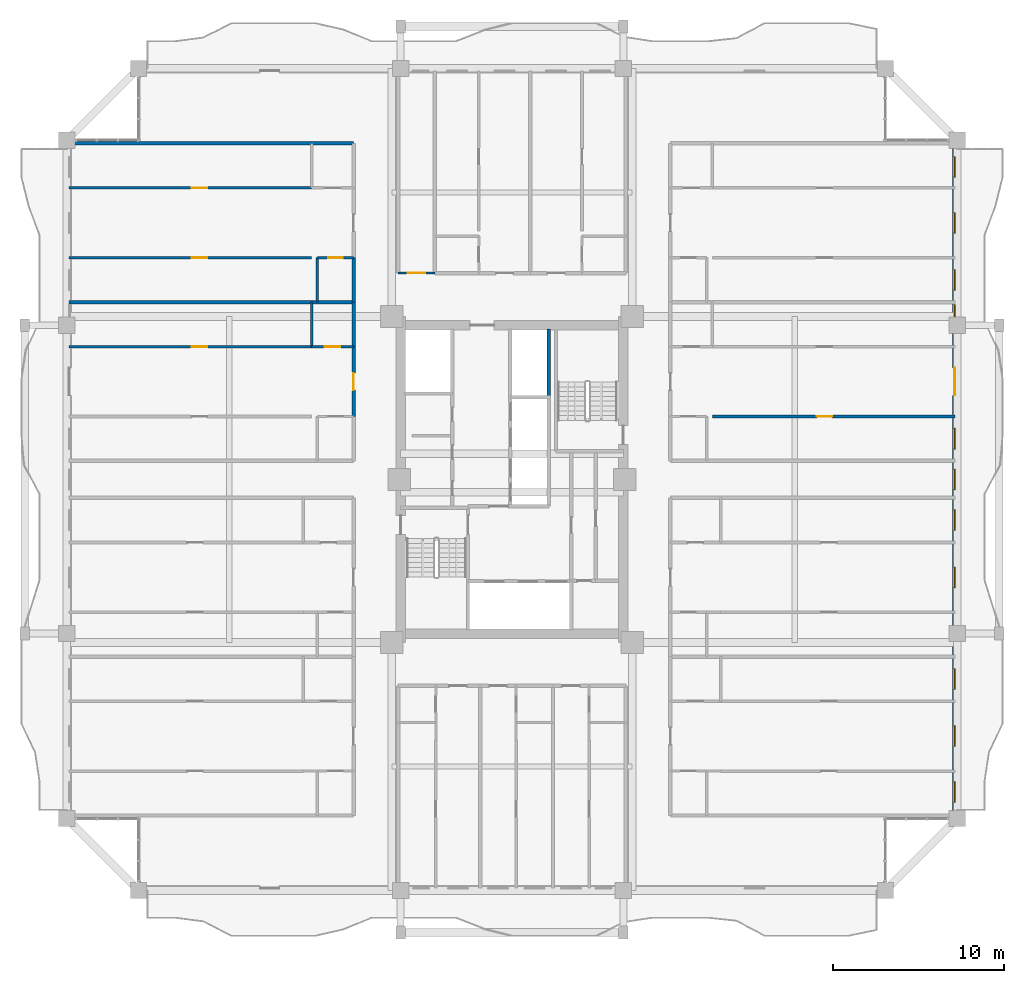
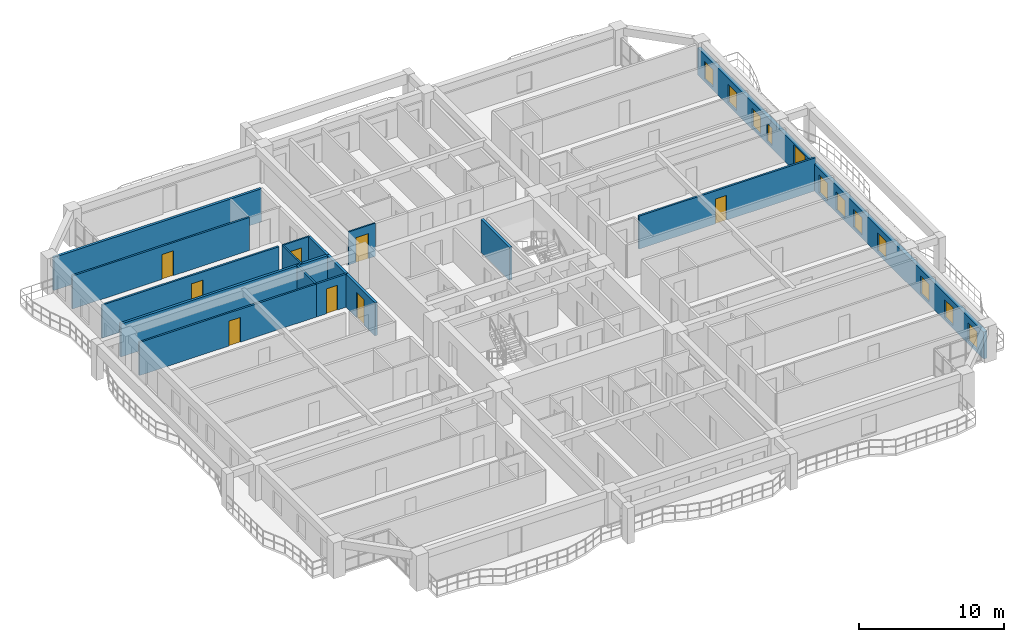
# One storey, part 18 of 25: 16 walls, 11 windows, 9 doors, 20 openings.
"""IFC4 building model written with IfcOpenShell, lengths in metres."""

from ifc_helpers import new_model, si_unit, direction, frame, frame_2d, origin, place, context, subcontext, project, spatial, rectangle, extrude, source, transform, mapped, material, layer, layer_set, type_object, element, fill, save


model = new_model("IFC4")

# Units and contexts
model_context = context("Model", 3, precision=1e-05, world=origin(), true_north=direction((0.0, 1.0)))
body_context = subcontext(model_context, "Body", "Model", "MODEL_VIEW")
ifc_project = project(units=[si_unit("LENGTHUNIT", "METRE"), si_unit("AREAUNIT", "SQUARE_METRE"), si_unit("VOLUMEUNIT", "CUBIC_METRE"), si_unit("PLANEANGLEUNIT", "RADIAN"), si_unit("MASSUNIT", "GRAM", prefix="KILO")], contexts=[model_context])

# Site, building, storey
site_placement = place(None, origin())
site = spatial("IfcSite", under=ifc_project, at=site_placement, CompositionType="ELEMENT")
building_placement = place(site_placement, origin())
building = spatial("IfcBuilding", under=site, at=building_placement, Name="Saelheon Loggia Tower", CompositionType="ELEMENT")
storey_placement = place(building_placement, frame((0.0, 0.0, 107.85009765625)))
storey = spatial("IfcBuildingStorey", under=building, at=storey_placement, Name="L34", CompositionType="ELEMENT", Elevation=107.85009765625)

# Wall, openings, windows, door
ifc_material_1 = material(Name="Architectural Precast Concrete C40/50", Category="concrete")
ifc_layer_1 = layer(ifc_material_1, 0.280029296875)
ifc_layer_set_1 = layer_set([ifc_layer_1], Name="Architectural Precast Concrete C40/50")
wall_type_1 = type_object("IfcWallType", Name="Wall_Ext_Loggia_280", PredefinedType="SOLIDWALL", material=ifc_layer_set_1)
wall_1_placement = place(storey_placement, frame((63.860107421875, 7.199951171875, 0.0), z_axis=(0.0, 0.0, 1.0), x_axis=(0.0, 1.0, 0.0)))
wall_1 = element("IfcWall", 1, at=wall_1_placement, inside=storey, type_object=wall_type_1, Name="L34 East Loggia Inner Wall", PredefinedType="SOLIDWALL", context=body_context, shape_type="SweptSolid", body=[
    extrude(rectangle(XDim=39.60009765625, YDim=0.280029296875, at=frame_2d((19.800048828125, 0.0))), origin(), (0.0, 0.0, 1.0), 2.27978515625),
])
opening_1_placement = place(wall_1_placement, frame((0.9453125, 0.0, 0.25)))
opening_1 = element("IfcOpeningElement", 2, at=opening_1_placement, cuts=wall_1, Name="Opening WN-03", PredefinedType="OPENING", context=body_context, shape_type="SweptSolid", body=[
    extrude(rectangle(XDim=1.199951171875, YDim=1.5, at=frame_2d((0.60009765625, 0.75))), frame((0.0, 0.152099609375, 0.0), z_axis=(0.0, -1.0, 0.0), x_axis=(1.0, 0.0, 0.0)), (0.0, 0.0, 1.0), 0.303955078125),
])
opening_2_placement = place(wall_1_placement, frame((4.212890625, 0.0, 0.25)))
opening_2 = element("IfcOpeningElement", 3, at=opening_2_placement, cuts=wall_1, Name="Opening WN-03", PredefinedType="OPENING", context=body_context, shape_type="SweptSolid", body=[
    extrude(rectangle(XDim=1.199951171875, YDim=1.5, at=frame_2d((0.60009765625, 0.75))), frame((0.0, 0.152099609375, 0.0), z_axis=(0.0, -1.0, 0.0), x_axis=(1.0, 0.0, 0.0)), (0.0, 0.0, 1.0), 0.303955078125),
])
opening_3_placement = place(wall_1_placement, frame((7.550048828125, 0.0, 0.25)))
opening_3 = element("IfcOpeningElement", 4, at=opening_3_placement, cuts=wall_1, Name="Opening WN-03", PredefinedType="OPENING", context=body_context, shape_type="SweptSolid", body=[
    extrude(rectangle(XDim=1.199951171875, YDim=1.5, at=frame_2d((0.60009765625, 0.75))), frame((0.0, 0.152099609375, 0.0), z_axis=(0.0, -1.0, 0.0), x_axis=(1.0, 0.0, 0.0)), (0.0, 0.0, 1.0), 0.303955078125),
])
opening_4_placement = place(wall_1_placement, frame((13.48291015625, 0.0, 0.25)))
opening_4 = element("IfcOpeningElement", 5, at=opening_4_placement, cuts=wall_1, Name="Opening WN-03", PredefinedType="OPENING", context=body_context, shape_type="SweptSolid", body=[
    extrude(rectangle(XDim=1.199951171875, YDim=1.5, at=frame_2d((0.60009765625, 0.75))), frame((0.0, 0.152099609375, 0.0), z_axis=(0.0, -1.0, 0.0), x_axis=(1.0, 0.0, 0.0)), (0.0, 0.0, 1.0), 0.303955078125),
])
opening_5_placement = place(wall_1_placement, frame((16.820068359375, 0.0, 0.25)))
opening_5 = element("IfcOpeningElement", 6, at=opening_5_placement, cuts=wall_1, Name="Opening WN-03", PredefinedType="OPENING", context=body_context, shape_type="SweptSolid", body=[
    extrude(rectangle(XDim=1.199951171875, YDim=1.5, at=frame_2d((0.60009765625, 0.75))), frame((0.0, 0.152099609375, 0.0), z_axis=(0.0, -1.0, 0.0), x_axis=(1.0, 0.0, 0.0)), (0.0, 0.0, 1.0), 0.303955078125),
])
opening_6_placement = place(wall_1_placement, frame((19.199951171875, 0.0, 0.25)))
opening_6 = element("IfcOpeningElement", 7, at=opening_6_placement, cuts=wall_1, Name="Opening WN-03", PredefinedType="OPENING", context=body_context, shape_type="SweptSolid", body=[
    extrude(rectangle(XDim=1.199951171875, YDim=1.5, at=frame_2d((0.60009765625, 0.75))), frame((0.0, 0.152099609375, 0.0), z_axis=(0.0, -1.0, 0.0), x_axis=(1.0, 0.0, 0.0)), (0.0, 0.0, 1.0), 0.303955078125),
])
opening_7_placement = place(wall_1_placement, frame((21.577880859375, 0.0, 0.25)))
opening_7 = element("IfcOpeningElement", 8, at=opening_7_placement, cuts=wall_1, Name="Opening WN-03", PredefinedType="OPENING", context=body_context, shape_type="SweptSolid", body=[
    extrude(rectangle(XDim=1.199951171875, YDim=1.5, at=frame_2d((0.60009765625, 0.75))), frame((0.0, 0.152099609375, 0.0), z_axis=(0.0, -1.0, 0.0), x_axis=(1.0, 0.0, 0.0)), (0.0, 0.0, 1.0), 0.303955078125),
])
opening_8_placement = place(wall_1_placement, frame((26.31298828125, 0.0, 0.0), z_axis=(0.0, 0.0, 1.0), x_axis=(-1.0, 0.0, 0.0)))
opening_8 = element("IfcOpeningElement", 9, at=opening_8_placement, cuts=wall_1, Name="Opening DLG-1", PredefinedType="OPENING", context=body_context, shape_type="SweptSolid", body=[
    extrude(rectangle(XDim=1.60009765625, YDim=2.14990234375, at=frame_2d((0.800048828125, 1.074951171875))), frame((0.0, 0.152099609375, 0.0), z_axis=(0.0, -1.0, 0.0), x_axis=(1.0, 0.0, 0.0)), (0.0, 0.0, 1.0), 0.303955078125),
])
opening_9_placement = place(wall_1_placement, frame((29.304931640625, 0.0, 0.25)))
opening_9 = element("IfcOpeningElement", 10, at=opening_9_placement, cuts=wall_1, Name="Opening WN-06", PredefinedType="OPENING", context=body_context, shape_type="SweptSolid", body=[
    extrude(rectangle(XDim=0.699951171875, YDim=1.5, at=frame_2d((0.35009765625, 0.75))), frame((0.0, 0.152099609375, 0.0), z_axis=(0.0, -1.0, 0.0), x_axis=(1.0, 0.0, 0.0)), (0.0, 0.0, 1.0), 0.303955078125),
])
opening_10_placement = place(wall_1_placement, frame((30.847900390625, 0.0, 0.25)))
opening_10 = element("IfcOpeningElement", 11, at=opening_10_placement, cuts=wall_1, Name="Opening WN-03", PredefinedType="OPENING", context=body_context, shape_type="SweptSolid", body=[
    extrude(rectangle(XDim=1.199951171875, YDim=1.5, at=frame_2d((0.60009765625, 0.75))), frame((0.0, 0.152099609375, 0.0), z_axis=(0.0, -1.0, 0.0), x_axis=(1.0, 0.0, 0.0)), (0.0, 0.0, 1.0), 0.303955078125),
])
opening_11_placement = place(wall_1_placement, frame((34.182861328125, 0.0, 0.25)))
opening_11 = element("IfcOpeningElement", 12, at=opening_11_placement, cuts=wall_1, Name="Opening WN-03", PredefinedType="OPENING", context=body_context, shape_type="SweptSolid", body=[
    extrude(rectangle(XDim=1.199951171875, YDim=1.5, at=frame_2d((0.60009765625, 0.75))), frame((0.0, 0.152099609375, 0.0), z_axis=(0.0, -1.0, 0.0), x_axis=(1.0, 0.0, 0.0)), (0.0, 0.0, 1.0), 0.303955078125),
])
opening_12_placement = place(wall_1_placement, frame((37.452392578125, 0.0, 0.25)))
opening_12 = element("IfcOpeningElement", 13, at=opening_12_placement, cuts=wall_1, Name="Opening WN-03", PredefinedType="OPENING", context=body_context, shape_type="SweptSolid", body=[
    extrude(rectangle(XDim=1.199951171875, YDim=1.5, at=frame_2d((0.60009765625, 0.75))), frame((0.0, 0.152099609375, 0.0), z_axis=(0.0, -1.0, 0.0), x_axis=(1.0, 0.0, 0.0)), (0.0, 0.0, 1.0), 0.303955078125),
])
ifc_material_2 = material(Name="Thermal-Break Aluminium and Triple Low-E Glass", Category="aluminium")
window_type_1 = type_object("IfcWindowType", Name="Win_Slot_700x1500", PartitioningType="SINGLE_PANEL", PredefinedType="WINDOW", material=ifc_material_2)
shared_shape_1 = source(origin(), body_context, "Body", "SweptSolid", [
    extrude(rectangle(XDim=0.699951171875, YDim=1.5, at=frame_2d((0.35009765625, 0.75))), frame((0.0, 0.030029296875, 0.0), z_axis=(0.0, -1.0, 0.0), x_axis=(1.0, 0.0, 0.0)), (0.0, 0.0, 1.0), 0.06005859375),
])
window_1_placement = place(opening_9_placement, origin())
window_1 = element("IfcWindow", 14, at=window_1_placement, inside=storey, type_object=window_type_1, Name="L34 E Dwelling Window 9", OverallHeight=1.5, OverallWidth=0.699951171875, PartitioningType="SINGLE_PANEL", PredefinedType="WINDOW", context=body_context, shape_type="MappedRepresentation", body=[
    mapped(shared_shape_1, transform((0.0, 0.0, 0.0), scale=1.0)),
])
fill(opening_9, window_1)
window_type_2 = type_object("IfcWindowType", Name="Win_Bedroom_1200x1500", PartitioningType="SINGLE_PANEL", PredefinedType="WINDOW", material=ifc_material_2)
shared_shape_2 = source(origin(), body_context, "Body", "SweptSolid", [
    extrude(rectangle(XDim=1.199951171875, YDim=1.5, at=frame_2d((0.60009765625, 0.75))), frame((0.0, 0.030029296875, 0.0), z_axis=(0.0, -1.0, 0.0), x_axis=(1.0, 0.0, 0.0)), (0.0, 0.0, 1.0), 0.06005859375),
])
window_2_placement = place(opening_1_placement, origin())
window_2 = element("IfcWindow", 15, at=window_2_placement, inside=storey, type_object=window_type_2, Name="L34 E Dwelling Window 1", OverallHeight=1.5, OverallWidth=1.199951171875, PartitioningType="SINGLE_PANEL", PredefinedType="WINDOW", context=body_context, shape_type="MappedRepresentation", body=[
    mapped(shared_shape_2, transform((0.0, 0.0, 0.0), scale=1.0)),
])
fill(opening_1, window_2)
window_3_placement = place(opening_2_placement, origin())
window_3 = element("IfcWindow", 16, at=window_3_placement, inside=storey, type_object=window_type_2, Name="L34 E Dwelling Window 2", OverallHeight=1.5, OverallWidth=1.199951171875, PartitioningType="SINGLE_PANEL", PredefinedType="WINDOW", context=body_context, shape_type="MappedRepresentation", body=[
    mapped(shared_shape_2, transform((0.0, 0.0, 0.0), scale=1.0)),
])
fill(opening_2, window_3)
window_4_placement = place(opening_3_placement, origin())
window_4 = element("IfcWindow", 17, at=window_4_placement, inside=storey, type_object=window_type_2, Name="L34 E Dwelling Window 3", OverallHeight=1.5, OverallWidth=1.199951171875, PartitioningType="SINGLE_PANEL", PredefinedType="WINDOW", context=body_context, shape_type="MappedRepresentation", body=[
    mapped(shared_shape_2, transform((0.0, 0.0, 0.0), scale=1.0)),
])
fill(opening_3, window_4)
window_5_placement = place(opening_4_placement, origin())
window_5 = element("IfcWindow", 18, at=window_5_placement, inside=storey, type_object=window_type_2, Name="L34 E Dwelling Window 4", OverallHeight=1.5, OverallWidth=1.199951171875, PartitioningType="SINGLE_PANEL", PredefinedType="WINDOW", context=body_context, shape_type="MappedRepresentation", body=[
    mapped(shared_shape_2, transform((0.0, 0.0, 0.0), scale=1.0)),
])
fill(opening_4, window_5)
window_6_placement = place(opening_5_placement, origin())
window_6 = element("IfcWindow", 19, at=window_6_placement, inside=storey, type_object=window_type_2, Name="L34 E Dwelling Window 5", OverallHeight=1.5, OverallWidth=1.199951171875, PartitioningType="SINGLE_PANEL", PredefinedType="WINDOW", context=body_context, shape_type="MappedRepresentation", body=[
    mapped(shared_shape_2, transform((0.0, 0.0, 0.0), scale=1.0)),
])
fill(opening_5, window_6)
window_7_placement = place(opening_6_placement, origin())
window_7 = element("IfcWindow", 20, at=window_7_placement, inside=storey, type_object=window_type_2, Name="L34 E Dwelling Window 6", OverallHeight=1.5, OverallWidth=1.199951171875, PartitioningType="SINGLE_PANEL", PredefinedType="WINDOW", context=body_context, shape_type="MappedRepresentation", body=[
    mapped(shared_shape_2, transform((0.0, 0.0, 0.0), scale=1.0)),
])
fill(opening_6, window_7)
window_8_placement = place(opening_7_placement, origin())
window_8 = element("IfcWindow", 21, at=window_8_placement, inside=storey, type_object=window_type_2, Name="L34 E Dwelling Window 7", OverallHeight=1.5, OverallWidth=1.199951171875, PartitioningType="SINGLE_PANEL", PredefinedType="WINDOW", context=body_context, shape_type="MappedRepresentation", body=[
    mapped(shared_shape_2, transform((0.0, 0.0, 0.0), scale=1.0)),
])
fill(opening_7, window_8)
window_9_placement = place(opening_10_placement, origin())
window_9 = element("IfcWindow", 22, at=window_9_placement, inside=storey, type_object=window_type_2, Name="L34 E Dwelling Window 10", OverallHeight=1.5, OverallWidth=1.199951171875, PartitioningType="SINGLE_PANEL", PredefinedType="WINDOW", context=body_context, shape_type="MappedRepresentation", body=[
    mapped(shared_shape_2, transform((0.0, 0.0, 0.0), scale=1.0)),
])
fill(opening_10, window_9)
window_10_placement = place(opening_11_placement, origin())
window_10 = element("IfcWindow", 23, at=window_10_placement, inside=storey, type_object=window_type_2, Name="L34 E Dwelling Window 11", OverallHeight=1.5, OverallWidth=1.199951171875, PartitioningType="SINGLE_PANEL", PredefinedType="WINDOW", context=body_context, shape_type="MappedRepresentation", body=[
    mapped(shared_shape_2, transform((0.0, 0.0, 0.0), scale=1.0)),
])
fill(opening_11, window_10)
window_11_placement = place(opening_12_placement, origin())
window_11 = element("IfcWindow", 24, at=window_11_placement, inside=storey, type_object=window_type_2, Name="L34 E Dwelling Window 12", OverallHeight=1.5, OverallWidth=1.199951171875, PartitioningType="SINGLE_PANEL", PredefinedType="WINDOW", context=body_context, shape_type="MappedRepresentation", body=[
    mapped(shared_shape_2, transform((0.0, 0.0, 0.0), scale=1.0)),
])
fill(opening_12, window_11)
ifc_material_3 = material(Name="Thermal-Break Aluminium Sliding Glazed Door", Category="aluminium")
door_type_1 = type_object("IfcDoorType", Name="Door_LoggiaSlide_1600", OperationType="SLIDING_TO_LEFT", PredefinedType="DOOR", material=ifc_material_3)
shared_shape_3 = source(origin(), body_context, "Body", "SweptSolid", [
    extrude(rectangle(XDim=1.60009765625, YDim=2.14990234375, at=frame_2d((0.800048828125, 1.074951171875))), frame((0.0, 0.02490234375, 0.0), z_axis=(0.0, -1.0, 0.0), x_axis=(1.0, 0.0, 0.0)), (0.0, 0.0, 1.0), 0.050048828125),
])
door_1_placement = place(opening_8_placement, origin())
door_1 = element("IfcDoor", 25, at=door_1_placement, inside=storey, type_object=door_type_1, Name="L34 E Loggia Access Door", OperationType="SLIDING_TO_LEFT", OverallHeight=2.14990234375, OverallWidth=1.60009765625, PredefinedType="DOOR", context=body_context, shape_type="MappedRepresentation", body=[
    mapped(shared_shape_3, transform((0.0, 0.0, 0.0), scale=1.0)),
])
fill(opening_8, door_1)

# Wall
ifc_material_4 = material(Name="Lightweight Autoclaved Aerated Concrete Block and Acoustic Gypsum", Category="concrete")
ifc_layer_2 = layer(ifc_material_4, 0.14990234375)
ifc_layer_set_2 = layer_set([ifc_layer_2], Name="Lightweight Autoclaved Aerated Concrete Block and Acoustic Gypsum")
wall_type_2 = type_object("IfcWallType", Name="Wall_Part_150", PredefinedType="PARTITIONING", material=ifc_layer_set_2)
wall_2_placement = place(storey_placement, frame((26.300048828125, 34.75, 0.0), z_axis=(0.0, 0.0, 1.0), x_axis=(0.0, 1.0, 0.0)))
element("IfcWall", 26, at=wall_2_placement, inside=storey, type_object=wall_type_2, Name="L34 WN Partition V07", PredefinedType="PARTITIONING", context=body_context, shape_type="SweptSolid", body=[
    extrude(rectangle(XDim=2.60009765625, YDim=0.14990234375, at=frame_2d((1.300048828125, 0.0))), origin(), (0.0, 0.0, 1.0), 2.789794921875),
])

# Wall, opening, door
wall_3_placement = place(storey_placement, frame((28.75, 34.75, 0.0), z_axis=(0.0, 0.0, 1.0), x_axis=(-1.0, 0.0, 0.0)))
wall_3 = element("IfcWall", 27, at=wall_3_placement, inside=storey, type_object=wall_type_2, Name="L34 WN Partition U10", PredefinedType="PARTITIONING", context=body_context, shape_type="SweptSolid", body=[
    extrude(rectangle(XDim=2.449951171875, YDim=0.14990234375, at=frame_2d((1.22509765625, 0.0))), origin(), (0.0, 0.0, 1.0), 2.789794921875),
])
opening_13_placement = place(wall_3_placement, frame((0.77490234375, 0.0, 0.0)))
opening_13 = element("IfcOpeningElement", 28, at=opening_13_placement, cuts=wall_3, Name="Opening D-IN2", PredefinedType="OPENING", context=body_context, shape_type="SweptSolid", body=[
    extrude(rectangle(XDim=0.89990234375, YDim=2.10009765625, at=frame_2d((0.449951171875, 1.050048828125))), frame((0.0, 0.0869140625, 0.0), z_axis=(0.0, -1.0, 0.0), x_axis=(1.0, 0.0, 0.0)), (0.0, 0.0, 1.0), 0.173828125),
])
ifc_material_5 = material(Name="Engineered Oak Flush Door", Category="timber")
door_type_2 = type_object("IfcDoorType", Name="Door_Int_900", OperationType="NOTDEFINED", PredefinedType="DOOR", material=ifc_material_5)
shared_shape_4 = source(origin(), body_context, "Body", "SweptSolid", [
    extrude(rectangle(XDim=0.89990234375, YDim=2.10009765625, at=frame_2d((0.449951171875, 1.050048828125))), frame((0.0, 0.02490234375, 0.0), z_axis=(0.0, -1.0, 0.0), x_axis=(1.0, 0.0, 0.0)), (0.0, 0.0, 1.0), 0.050048828125),
])
door_2_placement = place(opening_13_placement, origin())
door_2 = element("IfcDoor", 29, at=door_2_placement, inside=storey, type_object=door_type_2, Name="Unit U08 Dressing Closet Door", OperationType="SINGLE_SWING_LEFT", OverallHeight=2.10009765625, OverallWidth=0.89990234375, PredefinedType="DOOR", context=body_context, shape_type="MappedRepresentation", body=[
    mapped(shared_shape_4, transform((0.0, 0.0, 0.0), scale=1.0)),
])
fill(opening_13, door_2)

wall_4_placement = place(storey_placement, frame((26.300048828125, 34.75, 0.0), z_axis=(0.0, 0.0, 1.0), x_axis=(-1.0, 0.0, 0.0)))
wall_4 = element("IfcWall", 30, at=wall_4_placement, inside=storey, type_object=wall_type_2, Name="L34 WN Partition U11", PredefinedType="PARTITIONING", context=body_context, shape_type="SweptSolid", body=[
    extrude(rectangle(XDim=14.150146484375, YDim=0.14990234375, at=frame_2d((7.0751953125, 0.0))), origin(), (0.0, 0.0, 1.0), 2.789794921875),
])
opening_14_placement = place(wall_4_placement, frame((6.093017578125, 0.0, 0.0)))
opening_14 = element("IfcOpeningElement", 31, at=opening_14_placement, cuts=wall_4, Name="Opening D-IN2", PredefinedType="OPENING", context=body_context, shape_type="SweptSolid", body=[
    extrude(rectangle(XDim=0.89990234375, YDim=2.10009765625, at=frame_2d((0.449951171875, 1.050048828125))), frame((0.0, 0.0869140625, 0.0), z_axis=(0.0, -1.0, 0.0), x_axis=(1.0, 0.0, 0.0)), (0.0, 0.0, 1.0), 0.173828125),
])
door_3_placement = place(opening_14_placement, origin())
door_3 = element("IfcDoor", 32, at=door_3_placement, inside=storey, type_object=door_type_2, Name="Unit U08 Bedroom 1 Door", OperationType="SINGLE_SWING_RIGHT", OverallHeight=2.10009765625, OverallWidth=0.89990234375, PredefinedType="DOOR", context=body_context, shape_type="MappedRepresentation", body=[
    mapped(shared_shape_4, transform((0.0, 0.0, 0.0), scale=1.0)),
])
fill(opening_14, door_3)

wall_5_placement = place(storey_placement, frame((26.300048828125, 39.945556640625, 0.0), z_axis=(0.0, 0.0, 1.0), x_axis=(-1.0, 0.0, 0.0)))
wall_5 = element("IfcWall", 33, at=wall_5_placement, inside=storey, type_object=wall_type_2, Name="L34 WN Partition U19", PredefinedType="PARTITIONING", context=body_context, shape_type="SweptSolid", body=[
    extrude(rectangle(XDim=14.150146484375, YDim=0.14990234375, at=frame_2d((7.0751953125, 0.0))), origin(), (0.0, 0.0, 1.0), 2.789794921875),
])
opening_15_placement = place(wall_5_placement, frame((6.093017578125, 0.0, 0.0)))
opening_15 = element("IfcOpeningElement", 34, at=opening_15_placement, cuts=wall_5, Name="Opening D-IN2", PredefinedType="OPENING", context=body_context, shape_type="SweptSolid", body=[
    extrude(rectangle(XDim=0.89990234375, YDim=2.10009765625, at=frame_2d((0.449951171875, 1.050048828125))), frame((0.0, 0.0869140625, 0.0), z_axis=(0.0, -1.0, 0.0), x_axis=(1.0, 0.0, 0.0)), (0.0, 0.0, 1.0), 0.173828125),
])
door_4_placement = place(opening_15_placement, origin())
door_4 = element("IfcDoor", 35, at=door_4_placement, inside=storey, type_object=door_type_2, Name="Unit U09 Kitchen Door", OperationType="SINGLE_SWING_LEFT", OverallHeight=2.10009765625, OverallWidth=0.89990234375, PredefinedType="DOOR", context=body_context, shape_type="MappedRepresentation", body=[
    mapped(shared_shape_4, transform((0.0, 0.0, 0.0), scale=1.0)),
])
fill(opening_15, door_4)

wall_6_placement = place(storey_placement, frame((26.300048828125, 44.02001953125, 0.0), z_axis=(0.0, 0.0, 1.0), x_axis=(-1.0, 0.0, 0.0)))
wall_6 = element("IfcWall", 36, at=wall_6_placement, inside=storey, type_object=wall_type_2, Name="L34 WN Partition U21", PredefinedType="PARTITIONING", context=body_context, shape_type="SweptSolid", body=[
    extrude(rectangle(XDim=14.150146484375, YDim=0.14990234375, at=frame_2d((7.0751953125, 0.0))), origin(), (0.0, 0.0, 1.0), 2.789794921875),
])
opening_16_placement = place(wall_6_placement, frame((6.093017578125, 0.0, 0.0)))
opening_16 = element("IfcOpeningElement", 37, at=opening_16_placement, cuts=wall_6, Name="Opening D-IN2", PredefinedType="OPENING", context=body_context, shape_type="SweptSolid", body=[
    extrude(rectangle(XDim=0.89990234375, YDim=2.10009765625, at=frame_2d((0.449951171875, 1.050048828125))), frame((0.0, 0.0869140625, 0.0), z_axis=(0.0, -1.0, 0.0), x_axis=(1.0, 0.0, 0.0)), (0.0, 0.0, 1.0), 0.173828125),
])
door_5_placement = place(opening_16_placement, origin())
door_5 = element("IfcDoor", 38, at=door_5_placement, inside=storey, type_object=door_type_2, Name="Unit U09 Bedroom 1 Door", OperationType="SINGLE_SWING_LEFT", OverallHeight=2.10009765625, OverallWidth=0.89990234375, PredefinedType="DOOR", context=body_context, shape_type="MappedRepresentation", body=[
    mapped(shared_shape_4, transform((0.0, 0.0, 0.0), scale=1.0)),
])
fill(opening_16, door_5)

wall_7_placement = place(storey_placement, frame((49.699951171875, 30.675537109375, 0.0), z_axis=(0.0, 0.0, 1.0), x_axis=(1.0, 0.0, 0.0)))
wall_7 = element("IfcWall", 39, at=wall_7_placement, inside=storey, type_object=wall_type_2, Name="L34 EN Partition U09", PredefinedType="PARTITIONING", context=body_context, shape_type="SweptSolid", body=[
    extrude(rectangle(XDim=14.150146484375, YDim=0.14990234375, at=frame_2d((7.0751953125, 0.0))), origin(), (0.0, 0.0, 1.0), 2.789794921875),
])
opening_17_placement = place(wall_7_placement, frame((6.093017578125, 0.0, 0.0)))
opening_17 = element("IfcOpeningElement", 40, at=opening_17_placement, cuts=wall_7, Name="Opening D-IN2", PredefinedType="OPENING", context=body_context, shape_type="SweptSolid", body=[
    extrude(rectangle(XDim=0.89990234375, YDim=2.10009765625, at=frame_2d((0.449951171875, 1.050048828125))), frame((0.0, 0.0869140625, 0.0), z_axis=(0.0, -1.0, 0.0), x_axis=(1.0, 0.0, 0.0)), (0.0, 0.0, 1.0), 0.173828125),
])
door_6_placement = place(opening_17_placement, origin())
door_6 = element("IfcDoor", 41, at=door_6_placement, inside=storey, type_object=door_type_2, Name="Unit U12 Kitchen Door", OperationType="SINGLE_SWING_RIGHT", OverallHeight=2.10009765625, OverallWidth=0.89990234375, PredefinedType="DOOR", context=body_context, shape_type="MappedRepresentation", body=[
    mapped(shared_shape_4, transform((0.0, 0.0, 0.0), scale=1.0)),
])
fill(opening_17, door_6)

# Wall
ifc_material_6 = material(Name="Double Acoustic Stud and Fireboard Partition", Category="gypsum")
ifc_layer_3 = layer(ifc_material_6, 0.199951171875)
ifc_layer_set_3 = layer_set([ifc_layer_3], Name="Double Acoustic Stud and Fireboard Partition")
wall_type_3 = type_object("IfcWallType", Name="Wall_Party_200", PredefinedType="PARTITIONING", material=ifc_layer_set_3)
wall_8_placement = place(storey_placement, frame((28.75, 46.6201171875, 0.0), z_axis=(0.0, 0.0, 1.0), x_axis=(-1.0, 0.0, 0.0)))
element("IfcWall", 42, at=wall_8_placement, inside=storey, type_object=wall_type_3, Name="L34 WN Partition U02", PredefinedType="PARTITIONING", context=body_context, shape_type="SweptSolid", body=[
    extrude(rectangle(XDim=16.60009765625, YDim=0.199951171875, at=frame_2d((8.300048828125, 0.0))), origin(), (0.0, 0.0, 1.0), 2.789794921875),
])

# Wall, opening, door
wall_9_placement = place(storey_placement, frame((28.75, 30.675537109375, 0.0), z_axis=(0.0, 0.0, 1.0), x_axis=(0.0, 1.0, 0.0)))
wall_9 = element("IfcWall", 43, at=wall_9_placement, inside=storey, type_object=wall_type_3, Name="L34 WN Partition V04", PredefinedType="PARTITIONING", context=body_context, shape_type="SweptSolid", body=[
    extrude(rectangle(XDim=4.074462890625, YDim=0.199951171875, at=frame_2d((2.037109375, 0.0))), origin(), (0.0, 0.0, 1.0), 2.789794921875),
])
opening_18_placement = place(wall_9_placement, frame((1.537109375, 0.0, 0.0)))
opening_18 = element("IfcOpeningElement", 44, at=opening_18_placement, cuts=wall_9, Name="Opening D-FD1", PredefinedType="OPENING", context=body_context, shape_type="SweptSolid", body=[
    extrude(rectangle(XDim=1.0, YDim=2.14990234375, at=frame_2d((0.5, 1.074951171875))), frame((0.0, 0.112060546875, 0.0), z_axis=(0.0, -1.0, 0.0), x_axis=(1.0, 0.0, 0.0)), (0.0, 0.0, 1.0), 0.223876953125),
])
ifc_material_7 = material(Name="Fire-Rated Engineered Timber Entrance Door", Category="wood")
door_type_3 = type_object("IfcDoorType", Name="Door_Flat_FD30S", OperationType="NOTDEFINED", PredefinedType="DOOR", material=ifc_material_7)
shared_shape_5 = source(origin(), body_context, "Body", "SweptSolid", [
    extrude(rectangle(XDim=1.0, YDim=2.14990234375, at=frame_2d((0.5, 1.074951171875))), frame((0.0, 0.02490234375, 0.0), z_axis=(0.0, -1.0, 0.0), x_axis=(1.0, 0.0, 0.0)), (0.0, 0.0, 1.0), 0.050048828125),
])
door_7_placement = place(opening_18_placement, origin())
door_7 = element("IfcDoor", 45, at=door_7_placement, inside=storey, type_object=door_type_3, Name="Unit U08 Entrance Door", OperationType="SINGLE_SWING_RIGHT", OverallHeight=2.14990234375, OverallWidth=1.0, PredefinedType="DOOR", context=body_context, shape_type="MappedRepresentation", body=[
    mapped(shared_shape_5, transform((0.0, 0.0, 0.0), scale=1.0)),
])
fill(opening_18, door_7)

# Walls
wall_10_placement = place(storey_placement, frame((28.75, 34.75, 0.0), z_axis=(0.0, 0.0, 1.0), x_axis=(0.0, 1.0, 0.0)))
element("IfcWall", 46, at=wall_10_placement, inside=storey, type_object=wall_type_3, Name="L34 WN Partition V05", PredefinedType="PARTITIONING", context=body_context, shape_type="SweptSolid", body=[
    extrude(rectangle(XDim=2.60009765625, YDim=0.199951171875, at=frame_2d((1.300048828125, 0.0))), origin(), (0.0, 0.0, 1.0), 2.789794921875),
])
wall_11_placement = place(storey_placement, frame((28.75, 37.35009765625, 0.0), z_axis=(0.0, 0.0, 1.0), x_axis=(-1.0, 0.0, 0.0)))
element("IfcWall", 47, at=wall_11_placement, inside=storey, type_object=wall_type_3, Name="L34 WN Partition U12", PredefinedType="PARTITIONING", context=body_context, shape_type="SweptSolid", body=[
    extrude(rectangle(XDim=16.60009765625, YDim=0.199951171875, at=frame_2d((8.300048828125, 0.0))), origin(), (0.0, 0.0, 1.0), 2.789794921875),
])
wall_12_placement = place(storey_placement, frame((28.75, 37.35009765625, 0.0), z_axis=(0.0, 0.0, 1.0), x_axis=(0.0, 1.0, 0.0)))
element("IfcWall", 48, at=wall_12_placement, inside=storey, type_object=wall_type_3, Name="L34 WN Partition V13", PredefinedType="PARTITIONING", context=body_context, shape_type="SweptSolid", body=[
    extrude(rectangle(XDim=2.595458984375, YDim=0.199951171875, at=frame_2d((1.2978515625, 0.0))), origin(), (0.0, 0.0, 1.0), 2.789794921875),
])
ifc_material_8 = material(Name="Concrete C40/50", Category="concrete")
ifc_layer_4 = layer(ifc_material_8, 0.199951171875)
ifc_layer_set_4 = layer_set([ifc_layer_4], Name="Concrete C40/50")
wall_type_4 = type_object("IfcWallType", Name="Wall_Shaft_200", PredefinedType="PARTITIONING", material=ifc_layer_set_4)
wall_13_placement = place(storey_placement, frame((40.14990234375, 31.800048828125, 0.0), z_axis=(0.0, 0.0, 1.0), x_axis=(0.0, 1.0, 0.0)))
element("IfcWall", 49, at=wall_13_placement, inside=storey, type_object=wall_type_4, Name="L34 East High-Rise Hoistway East Wall", PredefinedType="PARTITIONING", context=body_context, shape_type="SweptSolid", body=[
    extrude(rectangle(XDim=3.97998046875, YDim=0.199951171875, at=frame_2d((1.989990234375, 0.0))), origin(), (0.0, 0.0, 1.0), 2.789794921875),
])

# Wall, opening, door
ifc_material_9 = material(Name="Moisture-Resistant Cement Board Partition", Category="gypsum")
ifc_layer_5 = layer(ifc_material_9, 0.1201171875)
ifc_layer_set_5 = layer_set([ifc_layer_5], Name="Moisture-Resistant Cement Board Partition")
wall_type_5 = type_object("IfcWallType", Name="Wall_WetPart_120", PredefinedType="PARTITIONING", material=ifc_layer_set_5)
wall_14_placement = place(storey_placement, frame((31.35009765625, 39.050048828125, 0.0), z_axis=(0.0, 0.0, 1.0), x_axis=(1.0, 0.0, 0.0)))
wall_14 = element("IfcWall", 50, at=wall_14_placement, inside=storey, type_object=wall_type_5, Name="L34 N Partition V04", PredefinedType="PARTITIONING", context=body_context, shape_type="SweptSolid", body=[
    extrude(rectangle(XDim=2.14990234375, YDim=0.1201171875, at=frame_2d((1.074951171875, 0.0))), origin(), (0.0, 0.0, 1.0), 2.789794921875),
])
opening_19_placement = place(wall_14_placement, frame((0.574951171875, 0.0, 0.0)))
opening_19 = element("IfcOpeningElement", 51, at=opening_19_placement, cuts=wall_14, Name="Opening D-AC1", PredefinedType="OPENING", context=body_context, shape_type="SweptSolid", body=[
    extrude(rectangle(XDim=1.0, YDim=2.10009765625, at=frame_2d((0.5, 1.050048828125))), frame((0.0, 0.072021484375, 0.0), z_axis=(0.0, -1.0, 0.0), x_axis=(1.0, 0.0, 0.0)), (0.0, 0.0, 1.0), 0.14404296875),
])
ifc_material_10 = material(Name="Accessible Laminate Flush Door", Category="timber")
door_type_4 = type_object("IfcDoorType", Name="Door_Acc_1000", OperationType="NOTDEFINED", PredefinedType="DOOR", material=ifc_material_10)
shared_shape_6 = source(origin(), body_context, "Body", "SweptSolid", [
    extrude(rectangle(XDim=1.0, YDim=2.10009765625, at=frame_2d((0.5, 1.050048828125))), frame((0.0, 0.02490234375, 0.0), z_axis=(0.0, -1.0, 0.0), x_axis=(1.0, 0.0, 0.0)), (0.0, 0.0, 1.0), 0.050048828125),
])
door_8_placement = place(opening_19_placement, origin())
door_8 = element("IfcDoor", 52, at=door_8_placement, inside=storey, type_object=door_type_4, Name="L34 Floor Accessible WC Door", OperationType="SINGLE_SWING_LEFT", OverallHeight=2.10009765625, OverallWidth=1.0, PredefinedType="DOOR", context=body_context, shape_type="MappedRepresentation", body=[
    mapped(shared_shape_6, transform((0.0, 0.0, 0.0), scale=1.0)),
])
fill(opening_19, door_8)

# Wall
wall_15_placement = place(storey_placement, frame((26.6298828125, 37.35009765625, 0.0), z_axis=(0.0, 0.0, 1.0), x_axis=(0.0, 1.0, 0.0)))
element("IfcWall", 53, at=wall_15_placement, inside=storey, type_object=wall_type_5, Name="L34 WN Partition V16", PredefinedType="PARTITIONING", context=body_context, shape_type="SweptSolid", body=[
    extrude(rectangle(XDim=2.595458984375, YDim=0.1201171875, at=frame_2d((1.2978515625, 0.0))), origin(), (0.0, 0.0, 1.0), 2.789794921875),
])

# Wall, opening, door
wall_16_placement = place(storey_placement, frame((28.75, 39.945556640625, 0.0), z_axis=(0.0, 0.0, 1.0), x_axis=(-1.0, 0.0, 0.0)))
wall_16 = element("IfcWall", 54, at=wall_16_placement, inside=storey, type_object=wall_type_5, Name="L34 WN Partition U18", PredefinedType="PARTITIONING", context=body_context, shape_type="SweptSolid", body=[
    extrude(rectangle(XDim=2.1201171875, YDim=0.1201171875, at=frame_2d((1.06005859375, 0.0))), origin(), (0.0, 0.0, 1.0), 2.789794921875),
])
opening_20_placement = place(wall_16_placement, frame((0.635009765625, 0.0, 0.0)))
opening_20 = element("IfcOpeningElement", 55, at=opening_20_placement, cuts=wall_16, Name="Opening D-BT1", PredefinedType="OPENING", context=body_context, shape_type="SweptSolid", body=[
    extrude(rectangle(XDim=0.85009765625, YDim=2.050048828125, at=frame_2d((0.425048828125, 1.02490234375))), frame((0.0, 0.072021484375, 0.0), z_axis=(0.0, -1.0, 0.0), x_axis=(1.0, 0.0, 0.0)), (0.0, 0.0, 1.0), 0.14404296875),
])
ifc_material_11 = material(Name="Moisture-Resistant Laminate Timber Door", Category="wood")
door_type_5 = type_object("IfcDoorType", Name="Door_Bath_850", OperationType="NOTDEFINED", PredefinedType="DOOR", material=ifc_material_11)
shared_shape_7 = source(origin(), body_context, "Body", "SweptSolid", [
    extrude(rectangle(XDim=0.85009765625, YDim=2.050048828125, at=frame_2d((0.425048828125, 1.02490234375))), frame((0.0, 0.02490234375, 0.0), z_axis=(0.0, -1.0, 0.0), x_axis=(1.0, 0.0, 0.0)), (0.0, 0.0, 1.0), 0.050048828125),
])
door_9_placement = place(opening_20_placement, origin())
door_9 = element("IfcDoor", 56, at=door_9_placement, inside=storey, type_object=door_type_5, Name="Unit U09 Bathroom Door", OperationType="SINGLE_SWING_RIGHT", OverallHeight=2.050048828125, OverallWidth=0.85009765625, PredefinedType="DOOR", context=body_context, shape_type="MappedRepresentation", body=[
    mapped(shared_shape_7, transform((0.0, 0.0, 0.0), scale=1.0)),
])
fill(opening_20, door_9)

save(model, "model.ifc")
